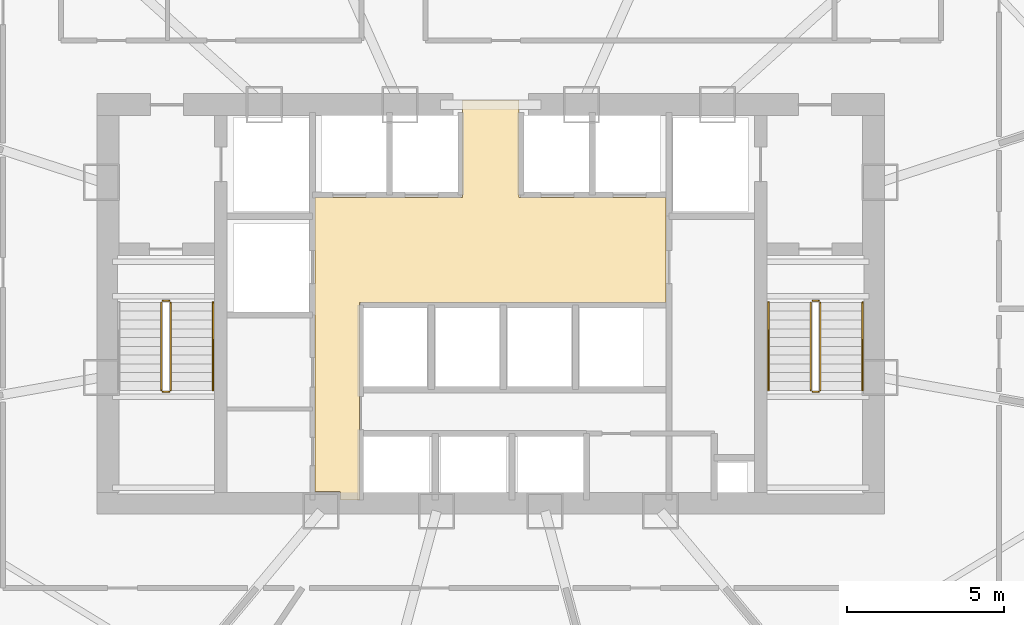
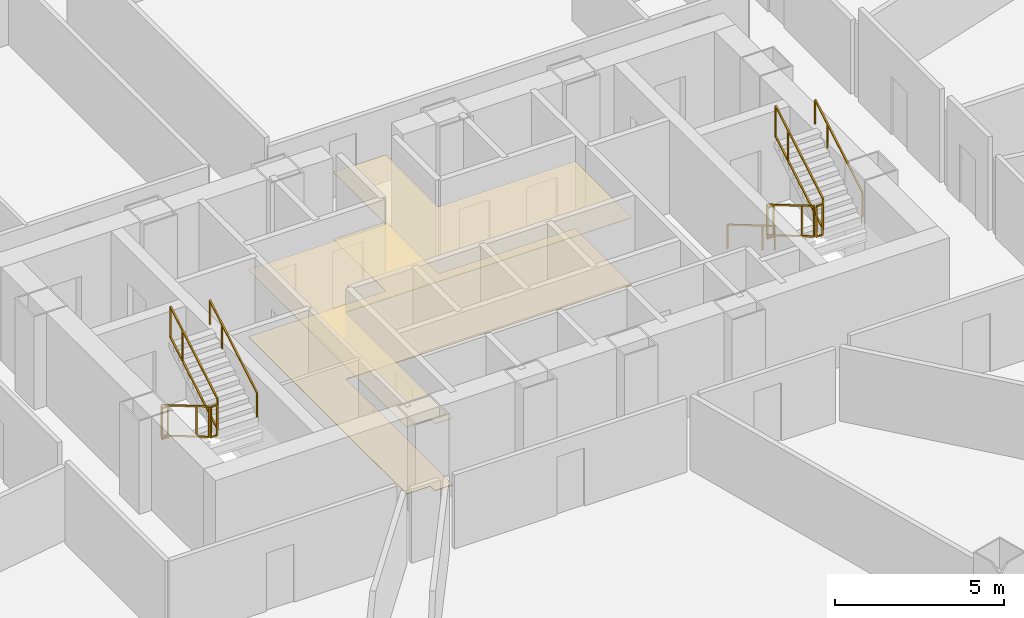
# One storey, part 40 of 42: 11 railings, 2 coverings.
"""IFC4 building model written with IfcOpenShell, lengths in metres."""

from ifc_helpers import new_model, si_unit, direction, frame, origin, origin_2d, place, context, subcontext, project, spatial, polyline, rectangle, outline, extrude, material, layer, layer_set, type_object, element, save


model = new_model("IFC4")

# Units and contexts
model_context = context("Model", 3, precision=1e-05, world=origin(), true_north=direction((0.0, 1.0)))
body_context = subcontext(model_context, "Body", "Model", "MODEL_VIEW")
ifc_project = project(units=[si_unit("LENGTHUNIT", "METRE"), si_unit("AREAUNIT", "SQUARE_METRE"), si_unit("VOLUMEUNIT", "CUBIC_METRE"), si_unit("PLANEANGLEUNIT", "RADIAN"), si_unit("MASSUNIT", "GRAM", prefix="KILO"), si_unit("THERMODYNAMICTEMPERATUREUNIT", "KELVIN"), si_unit("POWERUNIT", "WATT")], contexts=[model_context])

# Site, building, storey
site_placement = place(None, origin())
site = spatial("IfcSite", under=ifc_project, at=site_placement, CompositionType="ELEMENT")
building_placement = place(site_placement, origin())
building = spatial("IfcBuilding", under=site, at=building_placement, Name="Yunzhuo Pagoda Commons", CompositionType="ELEMENT")
storey_placement = place(building_placement, frame((0.0, 0.0, 44.919921875)))
storey = spatial("IfcBuildingStorey", under=building, at=storey_placement, Name="L11", CompositionType="ELEMENT", Elevation=44.919921875)

# Coverings
ifc_material_1 = material(Name="Mineral fibre acoustic ceiling board")
ifc_layer_1 = layer(ifc_material_1, 0.02490234375)
ifc_layer_set_1 = layer_set([ifc_layer_1], Name="Mineral fibre acoustic ceiling board")
covering_type_1 = type_object("IfcCoveringType", Name="COV-CL1 Ceiling 25", PredefinedType="CEILING", material=ifc_layer_set_1)
covering_1_placement = place(storey_placement, frame((0.0, 0.0, 2.420166015625)))
element("IfcCovering", 1, at=covering_1_placement, inside=storey, type_object=covering_type_1, Name="L11 lift lobby acoustic ceiling", PredefinedType="CEILING", context=body_context, shape_type="SweptSolid", body=[
    extrude(outline(polyline([(43.207763671875, 27.85009765625), (43.201904296875, 27.864013671875), (43.187744140625, 27.8701171875), (42.39990234375, 27.8701171875), (42.39990234375, 33.89990234375), (42.39990234375, 37.25), (47.10009765625, 37.25), (47.10009765625, 40.35009765625), (48.89990234375, 40.35009765625), (48.89990234375, 37.25), (53.580078125, 37.25), (53.580078125, 33.89990234375), (43.820068359375, 33.89990234375), (43.820068359375, 27.60009765625), (43.207763671875, 27.60009765625), (43.207763671875, 27.85009765625)])), origin(), (0.0, 0.0, 1.0), 0.02490234375),
])
ifc_material_2 = material(Name="Porcelain ceramic floor tile")
ifc_layer_2 = layer(ifc_material_2, 0.02001953125)
ifc_layer_set_2 = layer_set([ifc_layer_2], Name="Porcelain ceramic floor tile")
covering_type_2 = type_object("IfcCoveringType", Name="COV-FL1 Flooring 20", PredefinedType="FLOORING", material=ifc_layer_set_2)
covering_2_placement = place(storey_placement, origin())
element("IfcCovering", 2, at=covering_2_placement, inside=storey, type_object=covering_type_2, Name="L11 lift lobby flooring", PredefinedType="FLOORING", context=body_context, shape_type="SweptSolid", body=[
    extrude(outline(polyline([(43.207763671875, 27.85009765625), (43.201904296875, 27.864013671875), (43.187744140625, 27.8701171875), (42.39990234375, 27.8701171875), (42.39990234375, 33.89990234375), (42.39990234375, 37.25), (47.10009765625, 37.25), (47.10009765625, 40.35009765625), (48.89990234375, 40.35009765625), (48.89990234375, 37.25), (53.580078125, 37.25), (53.580078125, 33.89990234375), (43.820068359375, 33.89990234375), (43.820068359375, 27.60009765625), (43.207763671875, 27.60009765625), (43.207763671875, 27.85009765625)])), origin(), (0.0, 0.0, 1.0), 0.02001953125),
])

# Railings
ifc_material_3 = material(Name="Anodized aluminium 6063-T6", Category="aluminium")
railing_type_1 = type_object("IfcRailingType", Name="GR-ST1 Stair Well Guardrail 1150", PredefinedType="GUARDRAIL", material=ifc_material_3)
railing_1_placement = place(storey_placement, frame((37.5, 33.89990234375, 0.1650390625)))
element("IfcRailing", 3, at=railing_1_placement, inside=storey, type_object=railing_type_1, Name="L11 ST1 stair guard 1", PredefinedType="GUARDRAIL", context=body_context, shape_type="SweptSolid", body=[
    extrude(rectangle(XDim=0.048095703125, YDim=0.048095703125, at=origin_2d()), frame((0.0, 0.0, 1.1259765625), z_axis=(0.0, -0.861503254194, 0.507752048753), x_axis=(1.0, 0.0, 0.0)), (0.0, 0.0, 1.0), 3.25),
    extrude(rectangle(XDim=0.048095703125, YDim=0.048095703125, at=origin_2d()), frame((0.0, 0.0, 0.02392578125), z_axis=(0.0, -0.861503254194, 0.507752048753), x_axis=(1.0, 0.0, 0.0)), (0.0, 0.0, 1.0), 3.25),
    extrude(rectangle(XDim=0.0419921875, YDim=0.0419921875, at=origin_2d()), origin(), (0.0, 0.0, 1.0), 1.101806640625),
    extrude(rectangle(XDim=0.0419921875, YDim=0.0419921875, at=origin_2d()), frame((0.0, -2.067626953125, 1.218505859375)), (0.0, 0.0, 1.0), 1.101806640625),
    extrude(rectangle(XDim=0.0419921875, YDim=0.0419921875, at=origin_2d()), frame((0.0, -2.7998046875, 1.650146484375)), (0.0, 0.0, 1.0), 1.101806640625),
])
railing_2_placement = place(storey_placement, frame((37.550048828125, 31.050048828125, 1.815185546875)))
element("IfcRailing", 4, at=railing_2_placement, inside=storey, type_object=railing_type_1, Name="L11 ST1 stair guard 2", PredefinedType="GUARDRAIL", context=body_context, shape_type="SweptSolid", body=[
    extrude(rectangle(XDim=0.048095703125, YDim=0.048095703125, at=origin_2d()), frame((0.0, 0.0, 1.1259765625), z_axis=(1.0, 0.0, 0.0), x_axis=(0.0, 1.0, 0.0)), (0.0, 0.0, 1.0), 0.199951171875),
    extrude(rectangle(XDim=0.048095703125, YDim=0.048095703125, at=origin_2d()), frame((0.0, 0.0, 0.02392578125), z_axis=(1.0, 0.0, 0.0), x_axis=(0.0, 1.0, 0.0)), (0.0, 0.0, 1.0), 0.199951171875),
    extrude(rectangle(XDim=0.0419921875, YDim=0.0419921875, at=origin_2d()), origin(), (0.0, 0.0, 1.0), 1.101806640625),
    extrude(rectangle(XDim=0.0419921875, YDim=0.0419921875, at=origin_2d()), frame((0.199951171875, 0.0, 0.0)), (0.0, 0.0, 1.0), 1.101806640625),
])
railing_3_placement = place(storey_placement, frame((37.800048828125, 31.10009765625, 1.97998046875)))
element("IfcRailing", 5, at=railing_3_placement, inside=storey, type_object=railing_type_1, Name="L11 ST1 stair guard 3", PredefinedType="GUARDRAIL", context=body_context, shape_type="SweptSolid", body=[
    extrude(rectangle(XDim=0.048095703125, YDim=0.048095703125, at=origin_2d()), frame((0.0, 0.0, 1.1259765625), z_axis=(0.0, 0.861503254194, 0.507752048753), x_axis=(-1.0, 0.0, 0.0)), (0.0, 0.0, 1.0), 3.25),
    extrude(rectangle(XDim=0.048095703125, YDim=0.048095703125, at=origin_2d()), frame((0.0, 0.0, 0.02392578125), z_axis=(0.0, 0.861503254194, 0.507752048753), x_axis=(-1.0, 0.0, 0.0)), (0.0, 0.0, 1.0), 3.25),
    extrude(rectangle(XDim=0.0419921875, YDim=0.0419921875, at=origin_2d()), origin(), (0.0, 0.0, 1.0), 1.101806640625),
    extrude(rectangle(XDim=0.0419921875, YDim=0.0419921875, at=origin_2d()), frame((0.0, 2.067626953125, 1.218505859375)), (0.0, 0.0, 1.0), 1.101806640625),
    extrude(rectangle(XDim=0.0419921875, YDim=0.0419921875, at=origin_2d()), frame((0.0, 2.7998046875, 1.650146484375)), (0.0, 0.0, 1.0), 1.101806640625),
])
railing_4_placement = place(storey_placement, frame((37.550048828125, 33.949951171875, 0.0)))
element("IfcRailing", 6, at=railing_4_placement, inside=storey, type_object=railing_type_1, Name="L11 ST1 stair guard 4", PredefinedType="GUARDRAIL", context=body_context, shape_type="SweptSolid", body=[
    extrude(rectangle(XDim=0.048095703125, YDim=0.048095703125, at=origin_2d()), frame((0.0, 0.0, 1.1259765625), z_axis=(1.0, 0.0, 0.0), x_axis=(0.0, 1.0, 0.0)), (0.0, 0.0, 1.0), 0.199951171875),
    extrude(rectangle(XDim=0.048095703125, YDim=0.048095703125, at=origin_2d()), frame((0.0, 0.0, 0.02392578125), z_axis=(1.0, 0.0, 0.0), x_axis=(0.0, 1.0, 0.0)), (0.0, 0.0, 1.0), 0.199951171875),
    extrude(rectangle(XDim=0.0419921875, YDim=0.0419921875, at=origin_2d()), origin(), (0.0, 0.0, 1.0), 1.101806640625),
    extrude(rectangle(XDim=0.0419921875, YDim=0.0419921875, at=origin_2d()), frame((0.199951171875, 0.0, 0.0)), (0.0, 0.0, 1.0), 1.101806640625),
])
railing_type_2 = type_object("IfcRailingType", Name="GR-ST2 Stair Well Guardrail 1160", PredefinedType="GUARDRAIL", material=ifc_material_3)
railing_5_placement = place(storey_placement, frame((58.199951171875, 33.89990234375, 0.1650390625)))
element("IfcRailing", 7, at=railing_5_placement, inside=storey, type_object=railing_type_2, Name="L11 ST2 stair guard 1", PredefinedType="GUARDRAIL", context=body_context, shape_type="SweptSolid", body=[
    extrude(rectangle(XDim=0.048095703125, YDim=0.048095703125, at=origin_2d()), frame((0.0, 0.0, 1.1259765625), z_axis=(0.0, -0.861503254194, 0.507752048753), x_axis=(1.0, 0.0, 0.0)), (0.0, 0.0, 1.0), 3.25),
    extrude(rectangle(XDim=0.048095703125, YDim=0.048095703125, at=origin_2d()), frame((0.0, 0.0, 0.02392578125), z_axis=(0.0, -0.861503254194, 0.507752048753), x_axis=(1.0, 0.0, 0.0)), (0.0, 0.0, 1.0), 3.25),
    extrude(rectangle(XDim=0.0419921875, YDim=0.0419921875, at=origin_2d()), origin(), (0.0, 0.0, 1.0), 1.101806640625),
    extrude(rectangle(XDim=0.0419921875, YDim=0.0419921875, at=origin_2d()), frame((0.0, -2.067626953125, 1.218505859375)), (0.0, 0.0, 1.0), 1.101806640625),
    extrude(rectangle(XDim=0.0419921875, YDim=0.0419921875, at=origin_2d()), frame((0.0, -2.7998046875, 1.650146484375)), (0.0, 0.0, 1.0), 1.101806640625),
])
railing_6_placement = place(storey_placement, frame((58.25, 31.050048828125, 1.815185546875)))
element("IfcRailing", 8, at=railing_6_placement, inside=storey, type_object=railing_type_2, Name="L11 ST2 stair guard 2", PredefinedType="GUARDRAIL", context=body_context, shape_type="SweptSolid", body=[
    extrude(rectangle(XDim=0.048095703125, YDim=0.048095703125, at=origin_2d()), frame((0.0, 0.0, 1.1259765625), z_axis=(1.0, 0.0, 0.0), x_axis=(0.0, 1.0, 0.0)), (0.0, 0.0, 1.0), 0.199951171875),
    extrude(rectangle(XDim=0.048095703125, YDim=0.048095703125, at=origin_2d()), frame((0.0, 0.0, 0.02392578125), z_axis=(1.0, 0.0, 0.0), x_axis=(0.0, 1.0, 0.0)), (0.0, 0.0, 1.0), 0.199951171875),
    extrude(rectangle(XDim=0.0419921875, YDim=0.0419921875, at=origin_2d()), origin(), (0.0, 0.0, 1.0), 1.101806640625),
    extrude(rectangle(XDim=0.0419921875, YDim=0.0419921875, at=origin_2d()), frame((0.199951171875, 0.0, 0.0)), (0.0, 0.0, 1.0), 1.101806640625),
])
railing_7_placement = place(storey_placement, frame((58.5, 31.10009765625, 1.97998046875)))
element("IfcRailing", 9, at=railing_7_placement, inside=storey, type_object=railing_type_2, Name="L11 ST2 stair guard 3", PredefinedType="GUARDRAIL", context=body_context, shape_type="SweptSolid", body=[
    extrude(rectangle(XDim=0.048095703125, YDim=0.048095703125, at=origin_2d()), frame((0.0, 0.0, 1.1259765625), z_axis=(0.0, 0.861503254194, 0.507752048753), x_axis=(-1.0, 0.0, 0.0)), (0.0, 0.0, 1.0), 3.25),
    extrude(rectangle(XDim=0.048095703125, YDim=0.048095703125, at=origin_2d()), frame((0.0, 0.0, 0.02392578125), z_axis=(0.0, 0.861503254194, 0.507752048753), x_axis=(-1.0, 0.0, 0.0)), (0.0, 0.0, 1.0), 3.25),
    extrude(rectangle(XDim=0.0419921875, YDim=0.0419921875, at=origin_2d()), origin(), (0.0, 0.0, 1.0), 1.101806640625),
    extrude(rectangle(XDim=0.0419921875, YDim=0.0419921875, at=origin_2d()), frame((0.0, 2.067626953125, 1.218505859375)), (0.0, 0.0, 1.0), 1.101806640625),
    extrude(rectangle(XDim=0.0419921875, YDim=0.0419921875, at=origin_2d()), frame((0.0, 2.7998046875, 1.650146484375)), (0.0, 0.0, 1.0), 1.101806640625),
])
railing_8_placement = place(storey_placement, frame((58.25, 33.949951171875, 0.0)))
element("IfcRailing", 10, at=railing_8_placement, inside=storey, type_object=railing_type_2, Name="L11 ST2 stair guard 4", PredefinedType="GUARDRAIL", context=body_context, shape_type="SweptSolid", body=[
    extrude(rectangle(XDim=0.048095703125, YDim=0.048095703125, at=origin_2d()), frame((0.0, 0.0, 1.1259765625), z_axis=(1.0, 0.0, 0.0), x_axis=(0.0, 1.0, 0.0)), (0.0, 0.0, 1.0), 0.199951171875),
    extrude(rectangle(XDim=0.048095703125, YDim=0.048095703125, at=origin_2d()), frame((0.0, 0.0, 0.02392578125), z_axis=(1.0, 0.0, 0.0), x_axis=(0.0, 1.0, 0.0)), (0.0, 0.0, 1.0), 0.199951171875),
    extrude(rectangle(XDim=0.0419921875, YDim=0.0419921875, at=origin_2d()), origin(), (0.0, 0.0, 1.0), 1.101806640625),
    extrude(rectangle(XDim=0.0419921875, YDim=0.0419921875, at=origin_2d()), frame((0.199951171875, 0.0, 0.0)), (0.0, 0.0, 1.0), 1.101806640625),
])
railing_type_3 = type_object("IfcRailingType", Name="HR-ST1 Stair Handrail 900", PredefinedType="HANDRAIL", material=ifc_material_3)
railing_9_placement = place(storey_placement, frame((39.14990234375, 31.10009765625, 1.97998046875)))
element("IfcRailing", 11, at=railing_9_placement, inside=storey, type_object=railing_type_3, Name="L11 ST1 stair handrail 2", PredefinedType="HANDRAIL", context=body_context, shape_type="SweptSolid", body=[
    extrude(rectangle(XDim=0.048095703125, YDim=0.048095703125, at=origin_2d()), frame((0.0, 0.0, 0.8759765625), z_axis=(0.0, 0.861503254194, 0.507752048753), x_axis=(-1.0, 0.0, 0.0)), (0.0, 0.0, 1.0), 3.25),
    extrude(rectangle(XDim=0.0419921875, YDim=0.0419921875, at=origin_2d()), origin(), (0.0, 0.0, 1.0), 0.851806640625),
    extrude(rectangle(XDim=0.0419921875, YDim=0.0419921875, at=origin_2d()), frame((0.0, 2.067626953125, 1.218505859375)), (0.0, 0.0, 1.0), 0.851806640625),
    extrude(rectangle(XDim=0.0419921875, YDim=0.0419921875, at=origin_2d()), frame((0.0, 2.7998046875, 1.650146484375)), (0.0, 0.0, 1.0), 0.851806640625),
])
railing_type_4 = type_object("IfcRailingType", Name="HR-ST2 Stair Handrail 900", PredefinedType="HANDRAIL", material=ifc_material_3)
railing_10_placement = place(storey_placement, frame((56.85009765625, 33.89990234375, 0.1650390625)))
element("IfcRailing", 12, at=railing_10_placement, inside=storey, type_object=railing_type_4, Name="L11 ST2 stair handrail 1", PredefinedType="HANDRAIL", context=body_context, shape_type="SweptSolid", body=[
    extrude(rectangle(XDim=0.048095703125, YDim=0.048095703125, at=origin_2d()), frame((0.0, 0.0, 0.8759765625), z_axis=(0.0, -0.861503254194, 0.507752048753), x_axis=(1.0, 0.0, 0.0)), (0.0, 0.0, 1.0), 3.25),
    extrude(rectangle(XDim=0.0419921875, YDim=0.0419921875, at=origin_2d()), origin(), (0.0, 0.0, 1.0), 0.851806640625),
    extrude(rectangle(XDim=0.0419921875, YDim=0.0419921875, at=origin_2d()), frame((0.0, -2.067626953125, 1.218505859375)), (0.0, 0.0, 1.0), 0.851806640625),
    extrude(rectangle(XDim=0.0419921875, YDim=0.0419921875, at=origin_2d()), frame((0.0, -2.7998046875, 1.650146484375)), (0.0, 0.0, 1.0), 0.851806640625),
])
railing_11_placement = place(storey_placement, frame((59.85009765625, 31.10009765625, 1.97998046875)))
element("IfcRailing", 13, at=railing_11_placement, inside=storey, type_object=railing_type_4, Name="L11 ST2 stair handrail 2", PredefinedType="HANDRAIL", context=body_context, shape_type="SweptSolid", body=[
    extrude(rectangle(XDim=0.048095703125, YDim=0.048095703125, at=origin_2d()), frame((0.0, 0.0, 0.8759765625), z_axis=(0.0, 0.861503254194, 0.507752048753), x_axis=(-1.0, 0.0, 0.0)), (0.0, 0.0, 1.0), 3.25),
    extrude(rectangle(XDim=0.0419921875, YDim=0.0419921875, at=origin_2d()), origin(), (0.0, 0.0, 1.0), 0.851806640625),
    extrude(rectangle(XDim=0.0419921875, YDim=0.0419921875, at=origin_2d()), frame((0.0, 2.067626953125, 1.218505859375)), (0.0, 0.0, 1.0), 0.851806640625),
    extrude(rectangle(XDim=0.0419921875, YDim=0.0419921875, at=origin_2d()), frame((0.0, 2.7998046875, 1.650146484375)), (0.0, 0.0, 1.0), 0.851806640625),
])

save(model, "model.ifc")
